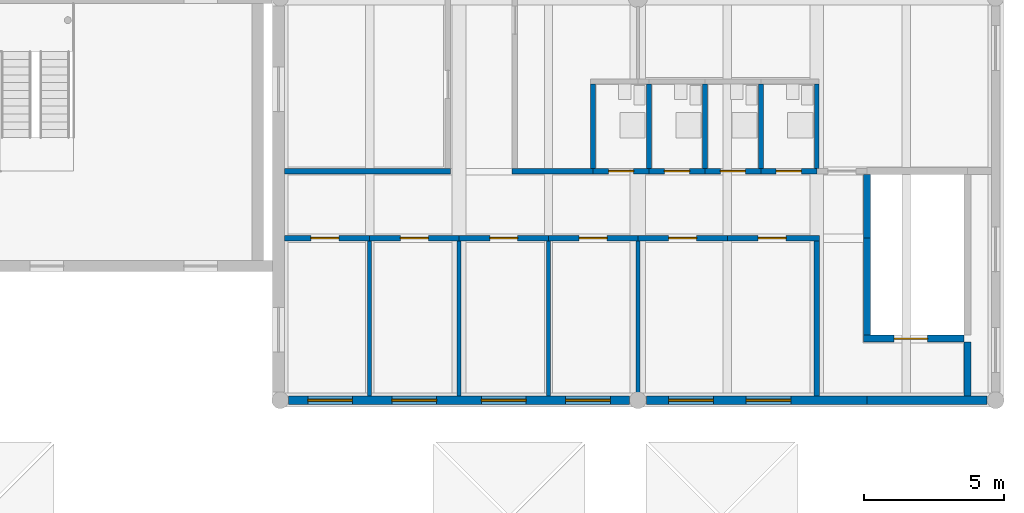
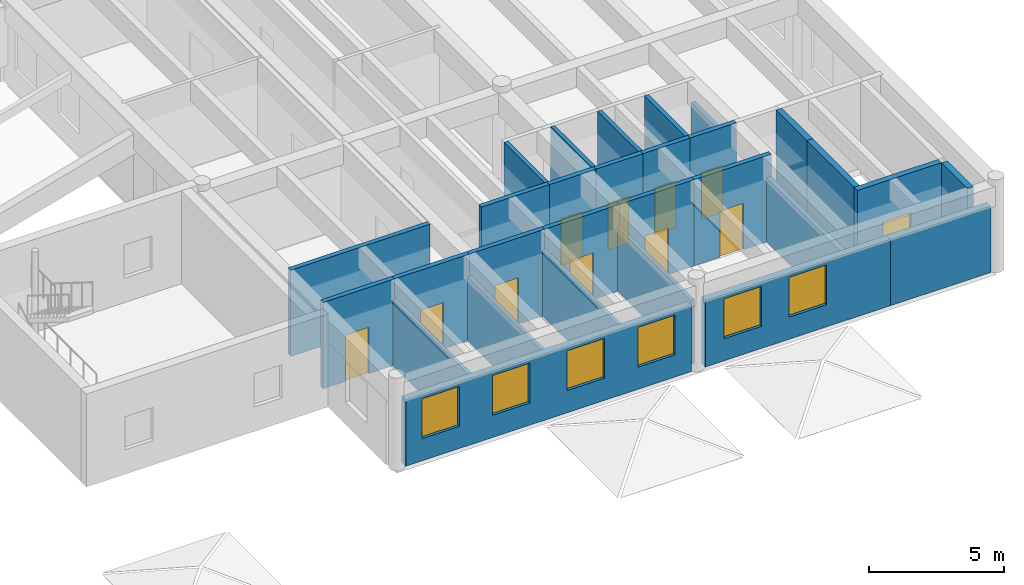
# One storey, part 10 of 19: 29 walls, 11 doors, 6 windows, 17 openings.
"""IFC4 building model written with IfcOpenShell, lengths in metres."""

from ifc_helpers import new_model, si_unit, direction, frame, frame_2d, origin, place, context, subcontext, project, spatial, rectangle, extrude, material, layer, layer_set, type_object, element, fill, save


model = new_model("IFC4")

# Units and contexts
model_context = context("Model", 3, precision=1e-05, world=origin(), true_north=direction((0.0, 1.0)))
body_context = subcontext(model_context, "Body", "Model", "MODEL_VIEW")
ifc_project = project(units=[si_unit("LENGTHUNIT", "METRE"), si_unit("AREAUNIT", "SQUARE_METRE"), si_unit("VOLUMEUNIT", "CUBIC_METRE"), si_unit("PLANEANGLEUNIT", "RADIAN"), si_unit("MASSUNIT", "GRAM", prefix="KILO")], contexts=[model_context])

# Site, building, storey
site_placement = place(None, origin())
site = spatial("IfcSite", under=ifc_project, at=site_placement, CompositionType="ELEMENT")
building_placement = place(site_placement, origin())
building = spatial("IfcBuilding", under=site, at=building_placement, Name="Fogon Plaza Fire Station and Headquarters Tower", CompositionType="ELEMENT")
storey_placement = place(building_placement, frame((0.0, 0.0, 4.199951171875)))
storey = spatial("IfcBuildingStorey", under=building, at=storey_placement, Name="L01", CompositionType="ELEMENT", Elevation=4.199951171875)

# Walls
ifc_material_1 = material(Name="Acoustic Gypsum Partition")
ifc_layer_1 = layer(ifc_material_1, 0.14990234375)
ifc_layer_set_1 = layer_set([ifc_layer_1], Name="Acoustic Gypsum Partition")
wall_type_1 = type_object("IfcWallType", Name="Acoustic Partition 150 Beam Head 1000", PredefinedType="PARTITIONING", material=ifc_layer_set_1)
wall_1_placement = place(storey_placement, frame((76.800048828125, 0.27001953125, 0.0), z_axis=(0.0, 0.0, 1.0), x_axis=(0.0, 1.0, 0.0)))
element("IfcWall", 1, at=wall_1_placement, inside=storey, type_object=wall_type_1, Name="wall-L01-E-051", PredefinedType="PARTITIONING", context=body_context, shape_type="SweptSolid", body=[
    extrude(rectangle(XDim=5.429931640625, YDim=0.14990234375, at=frame_2d((2.71484375, 0.0))), origin(), (0.0, 0.0, 1.0), 2.900146484375),
])
wall_2_placement = place(storey_placement, frame((70.39990234375, 0.14990234375, 0.0), z_axis=(0.0, 0.0, 1.0), x_axis=(0.0, 1.0, 0.0)))
element("IfcWall", 2, at=wall_2_placement, inside=storey, type_object=wall_type_1, Name="wall-L01-E-059", PredefinedType="PARTITIONING", context=body_context, shape_type="SweptSolid", body=[
    extrude(rectangle(XDim=5.550048828125, YDim=0.14990234375, at=frame_2d((2.77490234375, 0.0))), origin(), (0.0, 0.0, 1.0), 2.900146484375),
])
ifc_material_2 = material(Name="Acoustic Gypsum Partition")
ifc_layer_2 = layer(ifc_material_2, 0.14990234375)
ifc_layer_set_2 = layer_set([ifc_layer_2], Name="Acoustic Gypsum Partition")
wall_type_2 = type_object("IfcWallType", Name="Acoustic Partition 150 Beam Head 900", PredefinedType="PARTITIONING", material=ifc_layer_set_2)
for number, where, z_axis, x_axis, name in (
    (3, (73.60009765625, 0.14990234375, 0.0), (0.0, 0.0, 1.0), (0.0, 1.0, 0.0), "wall-L01-E-056"),
    (4, (67.199951171875, 0.14990234375, 0.0), (0.0, 0.0, 1.0), (0.0, 1.0, 0.0), "wall-L01-E-063"),
):
    element("IfcWall", number, at=place(storey_placement, frame(where, z_axis=z_axis, x_axis=x_axis)), inside=storey, type_object=wall_type_2, Name=name, PredefinedType="PARTITIONING", context=body_context, shape_type="SweptSolid", body=[
        extrude(rectangle(XDim=5.550048828125, YDim=0.14990234375, at=frame_2d((2.77490234375, 0.0))), origin(), (0.0, 0.0, 1.0), 3.0),
    ])

# Wall, openings, windows
ifc_material_3 = material(Name="Concrete C40", Category="concrete")
ifc_layer_3 = layer(ifc_material_3, 0.300048828125)
ifc_layer_set_3 = layer_set([ifc_layer_3], Name="Concrete C40")
wall_type_3 = type_object("IfcWallType", Name="Board-marked RC Infill Wall 300", PredefinedType="SOLIDWALL", material=ifc_layer_set_3)
wall_3_placement = place(storey_placement, frame((64.300048828125, 0.0, 0.0), z_axis=(0.0, 0.0, 1.0), x_axis=(1.0, 0.0, 0.0)))
wall_3 = element("IfcWall", 5, at=wall_3_placement, inside=storey, type_object=wall_type_3, Name="Exterior wall ES L01", PredefinedType="SOLIDWALL", context=body_context, shape_type="SweptSolid", body=[
    extrude(rectangle(XDim=12.199951171875, YDim=0.300048828125, at=frame_2d((6.10009765625, 0.0))), origin(), (0.0, 0.0, 1.0), 3.0),
])
opening_1_placement = place(wall_3_placement, frame((9.91259765625, 0.0, 1.0)))
opening_1 = element("IfcOpeningElement", 6, at=opening_1_placement, cuts=wall_3, Name="Opening W1", PredefinedType="OPENING", context=body_context, shape_type="SweptSolid", body=[
    extrude(rectangle(XDim=1.60009765625, YDim=1.800048828125, at=frame_2d((0.800048828125, 0.89990234375))), frame((0.0, 0.159912109375, 0.0), z_axis=(0.0, -1.0, 0.0), x_axis=(1.0, 0.0, 0.0)), (0.0, 0.0, 1.0), 0.320068359375),
])
opening_2_placement = place(wall_3_placement, frame((6.89990234375, 0.0, 1.0)))
opening_2 = element("IfcOpeningElement", 7, at=opening_2_placement, cuts=wall_3, Name="Opening W1", PredefinedType="OPENING", context=body_context, shape_type="SweptSolid", body=[
    extrude(rectangle(XDim=1.60009765625, YDim=1.800048828125, at=frame_2d((0.800048828125, 0.89990234375))), frame((0.0, 0.159912109375, 0.0), z_axis=(0.0, -1.0, 0.0), x_axis=(1.0, 0.0, 0.0)), (0.0, 0.0, 1.0), 0.320068359375),
])
opening_3_placement = place(wall_3_placement, frame((3.699951171875, 0.0, 1.0)))
opening_3 = element("IfcOpeningElement", 8, at=opening_3_placement, cuts=wall_3, Name="Opening W1", PredefinedType="OPENING", context=body_context, shape_type="SweptSolid", body=[
    extrude(rectangle(XDim=1.60009765625, YDim=1.800048828125, at=frame_2d((0.800048828125, 0.89990234375))), frame((0.0, 0.159912109375, 0.0), z_axis=(0.0, -1.0, 0.0), x_axis=(1.0, 0.0, 0.0)), (0.0, 0.0, 1.0), 0.320068359375),
])
opening_4_placement = place(wall_3_placement, frame((0.6875, 0.0, 1.0)))
opening_4 = element("IfcOpeningElement", 9, at=opening_4_placement, cuts=wall_3, Name="Opening W1", PredefinedType="OPENING", context=body_context, shape_type="SweptSolid", body=[
    extrude(rectangle(XDim=1.60009765625, YDim=1.800048828125, at=frame_2d((0.800048828125, 0.89990234375))), frame((0.0, 0.159912109375, 0.0), z_axis=(0.0, -1.0, 0.0), x_axis=(1.0, 0.0, 0.0)), (0.0, 0.0, 1.0), 0.320068359375),
])
ifc_material_4 = material(Name="Aluminium framed double glazing", Category="aluminium")
window_type = type_object("IfcWindowType", Name="Window W1 1600x1800", PartitioningType="SINGLE_PANEL", PredefinedType="WINDOW", material=ifc_material_4)
window_1_placement = place(opening_1_placement, origin())
window_1 = element("IfcWindow", 10, at=window_1_placement, inside=storey, type_object=window_type, Name="Window W1 S L01", OverallHeight=1.800048828125, OverallWidth=1.60009765625, PartitioningType="SINGLE_PANEL", PredefinedType="WINDOW", context=body_context, shape_type="SweptSolid", body=[
    extrude(rectangle(XDim=1.60009765625, YDim=1.800048828125, at=frame_2d((0.800048828125, 0.89990234375))), frame((0.0, 0.030029296875, 0.0), z_axis=(0.0, -1.0, 0.0), x_axis=(1.0, 0.0, 0.0)), (0.0, 0.0, 1.0), 0.06005859375),
])
fill(opening_1, window_1)
window_2_placement = place(opening_2_placement, origin())
window_2 = element("IfcWindow", 11, at=window_2_placement, inside=storey, type_object=window_type, Name="Window W1 S L01", OverallHeight=1.800048828125, OverallWidth=1.60009765625, PartitioningType="SINGLE_PANEL", PredefinedType="WINDOW", context=body_context, shape_type="SweptSolid", body=[
    extrude(rectangle(XDim=1.60009765625, YDim=1.800048828125, at=frame_2d((0.800048828125, 0.89990234375))), frame((0.0, 0.030029296875, 0.0), z_axis=(0.0, -1.0, 0.0), x_axis=(1.0, 0.0, 0.0)), (0.0, 0.0, 1.0), 0.06005859375),
])
fill(opening_2, window_2)
window_3_placement = place(opening_3_placement, origin())
window_3 = element("IfcWindow", 12, at=window_3_placement, inside=storey, type_object=window_type, Name="Window W1 S L01", OverallHeight=1.800048828125, OverallWidth=1.60009765625, PartitioningType="SINGLE_PANEL", PredefinedType="WINDOW", context=body_context, shape_type="SweptSolid", body=[
    extrude(rectangle(XDim=1.60009765625, YDim=1.800048828125, at=frame_2d((0.800048828125, 0.89990234375))), frame((0.0, 0.030029296875, 0.0), z_axis=(0.0, -1.0, 0.0), x_axis=(1.0, 0.0, 0.0)), (0.0, 0.0, 1.0), 0.06005859375),
])
fill(opening_3, window_3)
window_4_placement = place(opening_4_placement, origin())
window_4 = element("IfcWindow", 13, at=window_4_placement, inside=storey, type_object=window_type, Name="Window W1 S L01", OverallHeight=1.800048828125, OverallWidth=1.60009765625, PartitioningType="SINGLE_PANEL", PredefinedType="WINDOW", context=body_context, shape_type="SweptSolid", body=[
    extrude(rectangle(XDim=1.60009765625, YDim=1.800048828125, at=frame_2d((0.800048828125, 0.89990234375))), frame((0.0, 0.030029296875, 0.0), z_axis=(0.0, -1.0, 0.0), x_axis=(1.0, 0.0, 0.0)), (0.0, 0.0, 1.0), 0.06005859375),
])
fill(opening_4, window_4)

wall_4_placement = place(storey_placement, frame((77.10009765625, 0.0, 0.0), z_axis=(0.0, 0.0, 1.0), x_axis=(1.0, 0.0, 0.0)))
wall_4 = element("IfcWall", 14, at=wall_4_placement, inside=storey, type_object=wall_type_3, Name="Exterior wall ES L01", PredefinedType="SOLIDWALL", context=body_context, shape_type="SweptSolid", body=[
    extrude(rectangle(XDim=7.89990234375, YDim=0.300048828125, at=frame_2d((3.949951171875, 0.0))), origin(), (0.0, 0.0, 1.0), 3.0),
])
opening_5_placement = place(wall_4_placement, frame((3.574951171875, 0.0, 1.0)))
opening_5 = element("IfcOpeningElement", 15, at=opening_5_placement, cuts=wall_4, Name="Opening W1", PredefinedType="OPENING", context=body_context, shape_type="SweptSolid", body=[
    extrude(rectangle(XDim=1.60009765625, YDim=1.800048828125, at=frame_2d((0.800048828125, 0.89990234375))), frame((0.0, 0.159912109375, 0.0), z_axis=(0.0, -1.0, 0.0), x_axis=(1.0, 0.0, 0.0)), (0.0, 0.0, 1.0), 0.320068359375),
])
opening_6_placement = place(wall_4_placement, frame((0.800048828125, 0.0, 1.0)))
opening_6 = element("IfcOpeningElement", 16, at=opening_6_placement, cuts=wall_4, Name="Opening W1", PredefinedType="OPENING", context=body_context, shape_type="SweptSolid", body=[
    extrude(rectangle(XDim=1.60009765625, YDim=1.800048828125, at=frame_2d((0.800048828125, 0.89990234375))), frame((0.0, 0.159912109375, 0.0), z_axis=(0.0, -1.0, 0.0), x_axis=(1.0, 0.0, 0.0)), (0.0, 0.0, 1.0), 0.320068359375),
])
window_5_placement = place(opening_5_placement, origin())
window_5 = element("IfcWindow", 17, at=window_5_placement, inside=storey, type_object=window_type, Name="Window W1 S L01", OverallHeight=1.800048828125, OverallWidth=1.60009765625, PartitioningType="SINGLE_PANEL", PredefinedType="WINDOW", context=body_context, shape_type="SweptSolid", body=[
    extrude(rectangle(XDim=1.60009765625, YDim=1.800048828125, at=frame_2d((0.800048828125, 0.89990234375))), frame((0.0, 0.030029296875, 0.0), z_axis=(0.0, -1.0, 0.0), x_axis=(1.0, 0.0, 0.0)), (0.0, 0.0, 1.0), 0.06005859375),
])
fill(opening_5, window_5)
window_6_placement = place(opening_6_placement, origin())
window_6 = element("IfcWindow", 18, at=window_6_placement, inside=storey, type_object=window_type, Name="Window W1 S L01", OverallHeight=1.800048828125, OverallWidth=1.60009765625, PartitioningType="SINGLE_PANEL", PredefinedType="WINDOW", context=body_context, shape_type="SweptSolid", body=[
    extrude(rectangle(XDim=1.60009765625, YDim=1.800048828125, at=frame_2d((0.800048828125, 0.89990234375))), frame((0.0, 0.030029296875, 0.0), z_axis=(0.0, -1.0, 0.0), x_axis=(1.0, 0.0, 0.0)), (0.0, 0.0, 1.0), 0.06005859375),
])
fill(opening_6, window_6)

# Wall
ifc_material_5 = material(Name="Concrete C40", Category="concrete")
ifc_layer_4 = layer(ifc_material_5, 0.300048828125)
ifc_layer_set_4 = layer_set([ifc_layer_4], Name="Concrete C40")
wall_type_4 = type_object("IfcWallType", Name="Board-marked RC Infill Wall 300 EI 120", PredefinedType="SOLIDWALL", material=ifc_layer_set_4)
wall_5_placement = place(storey_placement, frame((85.0, 0.0, 0.0), z_axis=(0.0, 0.0, 1.0), x_axis=(1.0, 0.0, 0.0)))
element("IfcWall", 19, at=wall_5_placement, inside=storey, type_object=wall_type_4, Name="Exterior wall ES L01", PredefinedType="SOLIDWALL", context=body_context, shape_type="SweptSolid", body=[
    extrude(rectangle(XDim=4.300048828125, YDim=0.300048828125, at=frame_2d((2.14990234375, 0.0))), origin(), (0.0, 0.0, 1.0), 3.0),
])

# Wall, opening, door
ifc_material_6 = material(Name="Gypsum Board Fire Partition")
ifc_layer_5 = layer(ifc_material_6, 0.199951171875)
ifc_layer_set_5 = layer_set([ifc_layer_5], Name="Gypsum Board Fire Partition")
wall_type_5 = type_object("IfcWallType", Name="Corridor Wall EI 60", PredefinedType="PARTITIONING", material=ifc_layer_set_5)
wall_6_placement = place(storey_placement, frame((83.300048828125, 5.800048828125, 0.0), z_axis=(0.0, 0.0, 1.0), x_axis=(-1.0, 0.0, 0.0)))
wall_6 = element("IfcWall", 20, at=wall_6_placement, inside=storey, type_object=wall_type_5, Name="wall-L01-E-002", PredefinedType="PARTITIONING", context=body_context, shape_type="SweptSolid", body=[
    extrude(rectangle(XDim=3.300048828125, YDim=0.199951171875, at=frame_2d((1.64990234375, 0.0))), origin(), (0.0, 0.0, 1.0), 3.900146484375),
])
opening_7_placement = place(wall_6_placement, frame((1.199951171875, 0.0, 0.0)))
opening_7 = element("IfcOpeningElement", 21, at=opening_7_placement, cuts=wall_6, Name="Opening L01-D60", PredefinedType="OPENING", context=body_context, shape_type="SweptSolid", body=[
    extrude(rectangle(XDim=1.0, YDim=2.10009765625, at=frame_2d((0.5, 1.050048828125))), frame((0.0, 0.10986328125, 0.0), z_axis=(0.0, -1.0, 0.0), x_axis=(1.0, 0.0, 0.0)), (0.0, 0.0, 1.0), 0.219970703125),
])
ifc_material_7 = material(Name="Steel Fire Door Leaf", Category="steel")
door_type_1 = type_object("IfcDoorType", Name="Corridor Door EI 20 1000x2100", OperationType="SINGLE_SWING_LEFT", PredefinedType="DOOR", material=ifc_material_7)
door_1_placement = place(opening_7_placement, origin())
door_1 = element("IfcDoor", 22, at=door_1_placement, inside=storey, type_object=door_type_1, Name="door-L01-E-02", OperationType="SINGLE_SWING_LEFT", OverallHeight=2.10009765625, OverallWidth=1.0, PredefinedType="DOOR", context=body_context, shape_type="SweptSolid", body=[
    extrude(rectangle(XDim=1.0, YDim=2.10009765625, at=frame_2d((0.5, 1.050048828125))), frame((0.0, 0.02490234375, 0.0), z_axis=(0.0, -1.0, 0.0), x_axis=(1.0, 0.0, 0.0)), (0.0, 0.0, 1.0), 0.050048828125),
])
fill(opening_7, door_1)

wall_7_placement = place(storey_placement, frame((80.0, 5.800048828125, 0.0), z_axis=(0.0, 0.0, 1.0), x_axis=(-1.0, 0.0, 0.0)))
wall_7 = element("IfcWall", 23, at=wall_7_placement, inside=storey, type_object=wall_type_5, Name="wall-L01-E-003", PredefinedType="PARTITIONING", context=body_context, shape_type="SweptSolid", body=[
    extrude(rectangle(XDim=3.199951171875, YDim=0.199951171875, at=frame_2d((1.60009765625, 0.0))), origin(), (0.0, 0.0, 1.0), 3.900146484375),
])
opening_8_placement = place(wall_7_placement, frame((1.10009765625, 0.0, 0.0)))
opening_8 = element("IfcOpeningElement", 24, at=opening_8_placement, cuts=wall_7, Name="Opening L01-D61", PredefinedType="OPENING", context=body_context, shape_type="SweptSolid", body=[
    extrude(rectangle(XDim=1.0, YDim=2.10009765625, at=frame_2d((0.5, 1.050048828125))), frame((0.0, 0.10986328125, 0.0), z_axis=(0.0, -1.0, 0.0), x_axis=(1.0, 0.0, 0.0)), (0.0, 0.0, 1.0), 0.219970703125),
])
door_2_placement = place(opening_8_placement, origin())
door_2 = element("IfcDoor", 25, at=door_2_placement, inside=storey, type_object=door_type_1, Name="door-L01-E-03", OperationType="SINGLE_SWING_RIGHT", OverallHeight=2.10009765625, OverallWidth=1.0, PredefinedType="DOOR", context=body_context, shape_type="SweptSolid", body=[
    extrude(rectangle(XDim=1.0, YDim=2.10009765625, at=frame_2d((0.5, 1.050048828125))), frame((0.0, 0.02490234375, 0.0), z_axis=(0.0, -1.0, 0.0), x_axis=(1.0, 0.0, 0.0)), (0.0, 0.0, 1.0), 0.050048828125),
])
fill(opening_8, door_2)

wall_8_placement = place(storey_placement, frame((76.800048828125, 5.800048828125, 0.0), z_axis=(0.0, 0.0, 1.0), x_axis=(-1.0, 0.0, 0.0)))
wall_8 = element("IfcWall", 26, at=wall_8_placement, inside=storey, type_object=wall_type_5, Name="wall-L01-E-004", PredefinedType="PARTITIONING", context=body_context, shape_type="SweptSolid", body=[
    extrude(rectangle(XDim=3.199951171875, YDim=0.199951171875, at=frame_2d((1.60009765625, 0.0))), origin(), (0.0, 0.0, 1.0), 3.900146484375),
])
opening_9_placement = place(wall_8_placement, frame((1.10009765625, 0.0, 0.0)))
opening_9 = element("IfcOpeningElement", 27, at=opening_9_placement, cuts=wall_8, Name="Opening L01-D62", PredefinedType="OPENING", context=body_context, shape_type="SweptSolid", body=[
    extrude(rectangle(XDim=1.0, YDim=2.10009765625, at=frame_2d((0.5, 1.050048828125))), frame((0.0, 0.10986328125, 0.0), z_axis=(0.0, -1.0, 0.0), x_axis=(1.0, 0.0, 0.0)), (0.0, 0.0, 1.0), 0.219970703125),
])
door_3_placement = place(opening_9_placement, origin())
door_3 = element("IfcDoor", 28, at=door_3_placement, inside=storey, type_object=door_type_1, Name="door-L01-E-04", OperationType="SINGLE_SWING_LEFT", OverallHeight=2.10009765625, OverallWidth=1.0, PredefinedType="DOOR", context=body_context, shape_type="SweptSolid", body=[
    extrude(rectangle(XDim=1.0, YDim=2.10009765625, at=frame_2d((0.5, 1.050048828125))), frame((0.0, 0.02490234375, 0.0), z_axis=(0.0, -1.0, 0.0), x_axis=(1.0, 0.0, 0.0)), (0.0, 0.0, 1.0), 0.050048828125),
])
fill(opening_9, door_3)

wall_9_placement = place(storey_placement, frame((73.60009765625, 5.800048828125, 0.0), z_axis=(0.0, 0.0, 1.0), x_axis=(-1.0, 0.0, 0.0)))
wall_9 = element("IfcWall", 29, at=wall_9_placement, inside=storey, type_object=wall_type_5, Name="wall-L01-E-005", PredefinedType="PARTITIONING", context=body_context, shape_type="SweptSolid", body=[
    extrude(rectangle(XDim=3.2001953125, YDim=0.199951171875, at=frame_2d((1.60009765625, 0.0))), origin(), (0.0, 0.0, 1.0), 3.900146484375),
])
opening_10_placement = place(wall_9_placement, frame((1.10009765625, 0.0, 0.0)))
opening_10 = element("IfcOpeningElement", 30, at=opening_10_placement, cuts=wall_9, Name="Opening L01-D63", PredefinedType="OPENING", context=body_context, shape_type="SweptSolid", body=[
    extrude(rectangle(XDim=1.0, YDim=2.10009765625, at=frame_2d((0.5, 1.050048828125))), frame((0.0, 0.10986328125, 0.0), z_axis=(0.0, -1.0, 0.0), x_axis=(1.0, 0.0, 0.0)), (0.0, 0.0, 1.0), 0.219970703125),
])
door_4_placement = place(opening_10_placement, origin())
door_4 = element("IfcDoor", 31, at=door_4_placement, inside=storey, type_object=door_type_1, Name="door-L01-E-05", OperationType="SINGLE_SWING_RIGHT", OverallHeight=2.10009765625, OverallWidth=1.0, PredefinedType="DOOR", context=body_context, shape_type="SweptSolid", body=[
    extrude(rectangle(XDim=1.0, YDim=2.10009765625, at=frame_2d((0.5, 1.050048828125))), frame((0.0, 0.02490234375, 0.0), z_axis=(0.0, -1.0, 0.0), x_axis=(1.0, 0.0, 0.0)), (0.0, 0.0, 1.0), 0.050048828125),
])
fill(opening_10, door_4)

wall_10_placement = place(storey_placement, frame((70.39990234375, 5.800048828125, 0.0), z_axis=(0.0, 0.0, 1.0), x_axis=(-1.0, 0.0, 0.0)))
wall_10 = element("IfcWall", 32, at=wall_10_placement, inside=storey, type_object=wall_type_5, Name="wall-L01-E-006", PredefinedType="PARTITIONING", context=body_context, shape_type="SweptSolid", body=[
    extrude(rectangle(XDim=3.199951171875, YDim=0.199951171875, at=frame_2d((1.60009765625, 0.0))), origin(), (0.0, 0.0, 1.0), 3.900146484375),
])
opening_11_placement = place(wall_10_placement, frame((1.10009765625, 0.0, 0.0)))
opening_11 = element("IfcOpeningElement", 33, at=opening_11_placement, cuts=wall_10, Name="Opening L01-D64", PredefinedType="OPENING", context=body_context, shape_type="SweptSolid", body=[
    extrude(rectangle(XDim=1.0, YDim=2.10009765625, at=frame_2d((0.5, 1.050048828125))), frame((0.0, 0.10986328125, 0.0), z_axis=(0.0, -1.0, 0.0), x_axis=(1.0, 0.0, 0.0)), (0.0, 0.0, 1.0), 0.219970703125),
])
door_5_placement = place(opening_11_placement, origin())
door_5 = element("IfcDoor", 34, at=door_5_placement, inside=storey, type_object=door_type_1, Name="door-L01-E-06", OperationType="SINGLE_SWING_LEFT", OverallHeight=2.10009765625, OverallWidth=1.0, PredefinedType="DOOR", context=body_context, shape_type="SweptSolid", body=[
    extrude(rectangle(XDim=1.0, YDim=2.10009765625, at=frame_2d((0.5, 1.050048828125))), frame((0.0, 0.02490234375, 0.0), z_axis=(0.0, -1.0, 0.0), x_axis=(1.0, 0.0, 0.0)), (0.0, 0.0, 1.0), 0.050048828125),
])
fill(opening_11, door_5)

wall_11_placement = place(storey_placement, frame((67.199951171875, 5.800048828125, 0.0), z_axis=(0.0, 0.0, 1.0), x_axis=(-1.0, 0.0, 0.0)))
wall_11 = element("IfcWall", 35, at=wall_11_placement, inside=storey, type_object=wall_type_5, Name="wall-L01-E-007", PredefinedType="PARTITIONING", context=body_context, shape_type="SweptSolid", body=[
    extrude(rectangle(XDim=3.050048828125, YDim=0.199951171875, at=frame_2d((1.52490234375, 0.0))), origin(), (0.0, 0.0, 1.0), 3.900146484375),
])
opening_12_placement = place(wall_11_placement, frame((1.10009765625, 0.0, 0.0)))
opening_12 = element("IfcOpeningElement", 36, at=opening_12_placement, cuts=wall_11, Name="Opening L01-D65", PredefinedType="OPENING", context=body_context, shape_type="SweptSolid", body=[
    extrude(rectangle(XDim=1.0, YDim=2.10009765625, at=frame_2d((0.5, 1.050048828125))), frame((0.0, 0.10986328125, 0.0), z_axis=(0.0, -1.0, 0.0), x_axis=(1.0, 0.0, 0.0)), (0.0, 0.0, 1.0), 0.219970703125),
])
door_6_placement = place(opening_12_placement, origin())
door_6 = element("IfcDoor", 37, at=door_6_placement, inside=storey, type_object=door_type_1, Name="door-L01-E-07", OperationType="SINGLE_SWING_RIGHT", OverallHeight=2.10009765625, OverallWidth=1.0, PredefinedType="DOOR", context=body_context, shape_type="SweptSolid", body=[
    extrude(rectangle(XDim=1.0, YDim=2.10009765625, at=frame_2d((0.5, 1.050048828125))), frame((0.0, 0.02490234375, 0.0), z_axis=(0.0, -1.0, 0.0), x_axis=(1.0, 0.0, 0.0)), (0.0, 0.0, 1.0), 0.050048828125),
])
fill(opening_12, door_6)

wall_12_placement = place(storey_placement, frame((83.199951171875, 8.199951171875, 0.0), z_axis=(0.0, 0.0, 1.0), x_axis=(-1.0, 0.0, 0.0)))
wall_12 = element("IfcWall", 38, at=wall_12_placement, inside=storey, type_object=wall_type_5, Name="wall-L01-E-011", PredefinedType="PARTITIONING", context=body_context, shape_type="SweptSolid", body=[
    extrude(rectangle(XDim=2.0, YDim=0.199951171875, at=frame_2d((1.0, 0.0))), origin(), (0.0, 0.0, 1.0), 3.900146484375),
])
opening_13_placement = place(wall_12_placement, frame((0.550048828125, 0.0, 0.0)))
opening_13 = element("IfcOpeningElement", 39, at=opening_13_placement, cuts=wall_12, Name="Opening L01-D66", PredefinedType="OPENING", context=body_context, shape_type="SweptSolid", body=[
    extrude(rectangle(XDim=0.89990234375, YDim=2.10009765625, at=frame_2d((0.449951171875, 1.050048828125))), frame((0.0, 0.10986328125, 0.0), z_axis=(0.0, -1.0, 0.0), x_axis=(1.0, 0.0, 0.0)), (0.0, 0.0, 1.0), 0.219970703125),
])
ifc_material_8 = material(Name="Steel Fire Door Leaf", Category="steel")
door_type_2 = type_object("IfcDoorType", Name="Corridor Door EI 20 900x2100", OperationType="SINGLE_SWING_LEFT", PredefinedType="DOOR", material=ifc_material_8)
door_7_placement = place(opening_13_placement, frame((0.89990234375, 0.0, 0.0), z_axis=(0.0, 0.0, 1.0), x_axis=(-1.0, 0.0, 0.0)))
door_7 = element("IfcDoor", 40, at=door_7_placement, inside=storey, type_object=door_type_2, Name="door-L01-E-08", OperationType="SINGLE_SWING_LEFT", OverallHeight=2.10009765625, OverallWidth=0.89990234375, PredefinedType="DOOR", context=body_context, shape_type="SweptSolid", body=[
    extrude(rectangle(XDim=0.89990234375, YDim=2.10009765625, at=frame_2d((0.449951171875, 1.050048828125))), frame((0.0, 0.02490234375, 0.0), z_axis=(0.0, -1.0, 0.0), x_axis=(1.0, 0.0, 0.0)), (0.0, 0.0, 1.0), 0.050048828125),
])
fill(opening_13, door_7)

wall_13_placement = place(storey_placement, frame((81.199951171875, 8.199951171875, 0.0), z_axis=(0.0, 0.0, 1.0), x_axis=(-1.0, 0.0, 0.0)))
wall_13 = element("IfcWall", 41, at=wall_13_placement, inside=storey, type_object=wall_type_5, Name="wall-L01-E-012", PredefinedType="PARTITIONING", context=body_context, shape_type="SweptSolid", body=[
    extrude(rectangle(XDim=2.0, YDim=0.199951171875, at=frame_2d((1.0, 0.0))), origin(), (0.0, 0.0, 1.0), 3.900146484375),
])
opening_14_placement = place(wall_13_placement, frame((0.550048828125, 0.0, 0.0)))
opening_14 = element("IfcOpeningElement", 42, at=opening_14_placement, cuts=wall_13, Name="Opening L01-D67", PredefinedType="OPENING", context=body_context, shape_type="SweptSolid", body=[
    extrude(rectangle(XDim=0.89990234375, YDim=2.10009765625, at=frame_2d((0.449951171875, 1.050048828125))), frame((0.0, 0.10986328125, 0.0), z_axis=(0.0, -1.0, 0.0), x_axis=(1.0, 0.0, 0.0)), (0.0, 0.0, 1.0), 0.219970703125),
])
door_8_placement = place(opening_14_placement, frame((0.89990234375, 0.0, 0.0), z_axis=(0.0, 0.0, 1.0), x_axis=(-1.0, 0.0, 0.0)))
door_8 = element("IfcDoor", 43, at=door_8_placement, inside=storey, type_object=door_type_2, Name="door-L01-E-09", OperationType="SINGLE_SWING_RIGHT", OverallHeight=2.10009765625, OverallWidth=0.89990234375, PredefinedType="DOOR", context=body_context, shape_type="SweptSolid", body=[
    extrude(rectangle(XDim=0.89990234375, YDim=2.10009765625, at=frame_2d((0.449951171875, 1.050048828125))), frame((0.0, 0.02490234375, 0.0), z_axis=(0.0, -1.0, 0.0), x_axis=(1.0, 0.0, 0.0)), (0.0, 0.0, 1.0), 0.050048828125),
])
fill(opening_14, door_8)

wall_14_placement = place(storey_placement, frame((79.199951171875, 8.199951171875, 0.0), z_axis=(0.0, 0.0, 1.0), x_axis=(-1.0, 0.0, 0.0)))
wall_14 = element("IfcWall", 44, at=wall_14_placement, inside=storey, type_object=wall_type_5, Name="wall-L01-E-013", PredefinedType="PARTITIONING", context=body_context, shape_type="SweptSolid", body=[
    extrude(rectangle(XDim=2.0, YDim=0.199951171875, at=frame_2d((1.0, 0.0))), origin(), (0.0, 0.0, 1.0), 3.900146484375),
])
opening_15_placement = place(wall_14_placement, frame((0.550048828125, 0.0, 0.0)))
opening_15 = element("IfcOpeningElement", 45, at=opening_15_placement, cuts=wall_14, Name="Opening L01-D68", PredefinedType="OPENING", context=body_context, shape_type="SweptSolid", body=[
    extrude(rectangle(XDim=0.89990234375, YDim=2.10009765625, at=frame_2d((0.449951171875, 1.050048828125))), frame((0.0, 0.10986328125, 0.0), z_axis=(0.0, -1.0, 0.0), x_axis=(1.0, 0.0, 0.0)), (0.0, 0.0, 1.0), 0.219970703125),
])
door_9_placement = place(opening_15_placement, frame((0.89990234375, 0.0, 0.0), z_axis=(0.0, 0.0, 1.0), x_axis=(-1.0, 0.0, 0.0)))
door_9 = element("IfcDoor", 46, at=door_9_placement, inside=storey, type_object=door_type_2, Name="door-L01-E-10", OperationType="SINGLE_SWING_LEFT", OverallHeight=2.10009765625, OverallWidth=0.89990234375, PredefinedType="DOOR", context=body_context, shape_type="SweptSolid", body=[
    extrude(rectangle(XDim=0.89990234375, YDim=2.10009765625, at=frame_2d((0.449951171875, 1.050048828125))), frame((0.0, 0.02490234375, 0.0), z_axis=(0.0, -1.0, 0.0), x_axis=(1.0, 0.0, 0.0)), (0.0, 0.0, 1.0), 0.050048828125),
])
fill(opening_15, door_9)

wall_15_placement = place(storey_placement, frame((77.199951171875, 8.199951171875, 0.0), z_axis=(0.0, 0.0, 1.0), x_axis=(-1.0, 0.0, 0.0)))
wall_15 = element("IfcWall", 47, at=wall_15_placement, inside=storey, type_object=wall_type_5, Name="wall-L01-E-014", PredefinedType="PARTITIONING", context=body_context, shape_type="SweptSolid", body=[
    extrude(rectangle(XDim=2.0, YDim=0.199951171875, at=frame_2d((1.0, 0.0))), origin(), (0.0, 0.0, 1.0), 3.900146484375),
])
opening_16_placement = place(wall_15_placement, frame((0.550048828125, 0.0, 0.0)))
opening_16 = element("IfcOpeningElement", 48, at=opening_16_placement, cuts=wall_15, Name="Opening L01-D69", PredefinedType="OPENING", context=body_context, shape_type="SweptSolid", body=[
    extrude(rectangle(XDim=0.89990234375, YDim=2.10009765625, at=frame_2d((0.449951171875, 1.050048828125))), frame((0.0, 0.10986328125, 0.0), z_axis=(0.0, -1.0, 0.0), x_axis=(1.0, 0.0, 0.0)), (0.0, 0.0, 1.0), 0.219970703125),
])
door_10_placement = place(opening_16_placement, frame((0.89990234375, 0.0, 0.0), z_axis=(0.0, 0.0, 1.0), x_axis=(-1.0, 0.0, 0.0)))
door_10 = element("IfcDoor", 49, at=door_10_placement, inside=storey, type_object=door_type_2, Name="door-L01-E-11", OperationType="SINGLE_SWING_RIGHT", OverallHeight=2.10009765625, OverallWidth=0.89990234375, PredefinedType="DOOR", context=body_context, shape_type="SweptSolid", body=[
    extrude(rectangle(XDim=0.89990234375, YDim=2.10009765625, at=frame_2d((0.449951171875, 1.050048828125))), frame((0.0, 0.02490234375, 0.0), z_axis=(0.0, -1.0, 0.0), x_axis=(1.0, 0.0, 0.0)), (0.0, 0.0, 1.0), 0.050048828125),
])
fill(opening_16, door_10)

# Walls
wall_16_placement = place(storey_placement, frame((75.199951171875, 8.199951171875, 0.0), z_axis=(0.0, 0.0, 1.0), x_axis=(-1.0, 0.0, 0.0)))
element("IfcWall", 50, at=wall_16_placement, inside=storey, type_object=wall_type_5, Name="wall-L01-E-015", PredefinedType="PARTITIONING", context=body_context, shape_type="SweptSolid", body=[
    extrude(rectangle(XDim=2.89990234375, YDim=0.199951171875, at=frame_2d((1.449951171875, 0.0))), origin(), (0.0, 0.0, 1.0), 3.900146484375),
])
wall_17_placement = place(storey_placement, frame((70.10009765625, 8.199951171875, 0.0), z_axis=(0.0, 0.0, 1.0), x_axis=(-1.0, 0.0, 0.0)))
element("IfcWall", 51, at=wall_17_placement, inside=storey, type_object=wall_type_5, Name="wall-L01-E-016", PredefinedType="PARTITIONING", context=body_context, shape_type="SweptSolid", body=[
    extrude(rectangle(XDim=5.9501953125, YDim=0.199951171875, at=frame_2d((2.97509765625, 0.0))), origin(), (0.0, 0.0, 1.0), 3.900146484375),
])
ifc_material_9 = material(Name="Gypsum Board Fire Partition")
ifc_layer_6 = layer(ifc_material_9, 0.199951171875)
ifc_layer_set_6 = layer_set([ifc_layer_6], Name="Gypsum Board Fire Partition")
wall_type_6 = type_object("IfcWallType", Name="Corridor Wall EI 60 Beam Head 1000", PredefinedType="PARTITIONING", material=ifc_layer_set_6)
wall_18_placement = place(storey_placement, frame((83.199951171875, 0.14990234375, 0.0), z_axis=(0.0, 0.0, 1.0), x_axis=(0.0, 1.0, 0.0)))
element("IfcWall", 52, at=wall_18_placement, inside=storey, type_object=wall_type_6, Name="wall-L01-E-045", PredefinedType="PARTITIONING", context=body_context, shape_type="SweptSolid", body=[
    extrude(rectangle(XDim=5.550048828125, YDim=0.199951171875, at=frame_2d((2.77490234375, 0.0))), origin(), (0.0, 0.0, 1.0), 2.900146484375),
])

# Wall, opening, door
ifc_material_10 = material(Name="Concrete C40", Category="concrete")
ifc_layer_7 = layer(ifc_material_10, 0.25)
ifc_layer_set_7 = layer_set([ifc_layer_7], Name="Concrete C40")
wall_type_7 = type_object("IfcWallType", Name="Stair Shaft Wall RC 250", PredefinedType="SHEAR", material=ifc_layer_set_7)
wall_19_placement = place(storey_placement, frame((88.47509765625, 2.199951171875, 0.0), z_axis=(0.0, 0.0, 1.0), x_axis=(-1.0, 0.0, 0.0)))
wall_19 = element("IfcWall", 53, at=wall_19_placement, inside=storey, type_object=wall_type_7, Name="wall-L01-E-001", PredefinedType="SHEAR", context=body_context, shape_type="SweptSolid", body=[
    extrude(rectangle(XDim=3.60009765625, YDim=0.25, at=frame_2d((1.800048828125, 0.0))), origin(), (0.0, 0.0, 1.0), 3.900146484375),
])
opening_17_placement = place(wall_19_placement, frame((1.304931640625, 0.0, 0.0)))
opening_17 = element("IfcOpeningElement", 54, at=opening_17_placement, cuts=wall_19, Name="Opening L01-D59", PredefinedType="OPENING", context=body_context, shape_type="SweptSolid", body=[
    extrude(rectangle(XDim=1.199951171875, YDim=2.10009765625, at=frame_2d((0.60009765625, 1.050048828125))), frame((0.0, 0.135009765625, 0.0), z_axis=(0.0, -1.0, 0.0), x_axis=(1.0, 0.0, 0.0)), (0.0, 0.0, 1.0), 0.27001953125),
])
ifc_material_11 = material(Name="Steel Fire Door Leaf", Category="steel")
door_type_3 = type_object("IfcDoorType", Name="Stair Door EI 90 1200x2100", OperationType="SINGLE_SWING_LEFT", PredefinedType="DOOR", material=ifc_material_11)
door_11_placement = place(opening_17_placement, origin())
door_11 = element("IfcDoor", 55, at=door_11_placement, inside=storey, type_object=door_type_3, Name="door-L01-E-01", OperationType="SINGLE_SWING_LEFT", OverallHeight=2.10009765625, OverallWidth=1.199951171875, PredefinedType="DOOR", context=body_context, shape_type="SweptSolid", body=[
    extrude(rectangle(XDim=1.199951171875, YDim=2.10009765625, at=frame_2d((0.60009765625, 1.050048828125))), frame((0.0, 0.02490234375, 0.0), z_axis=(0.0, -1.0, 0.0), x_axis=(1.0, 0.0, 0.0)), (0.0, 0.0, 1.0), 0.050048828125),
])
fill(opening_17, door_11)

# Walls
wall_20_placement = place(storey_placement, frame((85.0, 2.324951171875, 0.0), z_axis=(0.0, 0.0, 1.0), x_axis=(0.0, 1.0, 0.0)))
element("IfcWall", 56, at=wall_20_placement, inside=storey, type_object=wall_type_7, Name="wall-L01-E-040", PredefinedType="SHEAR", context=body_context, shape_type="SweptSolid", body=[
    extrude(rectangle(XDim=3.47509765625, YDim=0.25, at=frame_2d((1.737548828125, 0.0))), origin(), (0.0, 0.0, 1.0), 3.900146484375),
])
wall_21_placement = place(storey_placement, frame((85.0, 5.800048828125, 0.0), z_axis=(0.0, 0.0, 1.0), x_axis=(0.0, 1.0, 0.0)))
element("IfcWall", 57, at=wall_21_placement, inside=storey, type_object=wall_type_7, Name="wall-L01-E-041", PredefinedType="SHEAR", context=body_context, shape_type="SweptSolid", body=[
    extrude(rectangle(XDim=2.27490234375, YDim=0.25, at=frame_2d((1.137451171875, 0.0))), origin(), (0.0, 0.0, 1.0), 3.900146484375),
])
ifc_material_12 = material(Name="Concrete Block Fire Wall", Category="concrete")
ifc_layer_8 = layer(ifc_material_12, 0.25)
ifc_layer_set_8 = layer_set([ifc_layer_8], Name="Concrete Block Fire Wall")
wall_type_8 = type_object("IfcWallType", Name="Stair and Shaft Wall EI 120", PredefinedType="PARTITIONING", material=ifc_layer_set_8)
wall_22_placement = place(storey_placement, frame((88.60009765625, 0.14990234375, 0.0), z_axis=(0.0, 0.0, 1.0), x_axis=(0.0, 1.0, 0.0)))
element("IfcWall", 58, at=wall_22_placement, inside=storey, type_object=wall_type_8, Name="wall-L01-E-036", PredefinedType="PARTITIONING", context=body_context, shape_type="SweptSolid", body=[
    extrude(rectangle(XDim=1.925048828125, YDim=0.25, at=frame_2d((0.96240234375, 0.0))), origin(), (0.0, 0.0, 1.0), 3.900146484375),
])
ifc_material_13 = material(Name="Tiled Concrete Block Wall", Category="concrete")
ifc_layer_9 = layer(ifc_material_13, 0.175048828125)
ifc_layer_set_9 = layer_set([ifc_layer_9], Name="Tiled Concrete Block Wall")
wall_type_9 = type_object("IfcWallType", Name="Wet Area Block Wall 175", PredefinedType="PARTITIONING", material=ifc_layer_set_9)
for number, where, z_axis, x_axis, name in (
    (59, (81.199951171875, 8.300048828125, 0.0), (0.0, 0.0, 1.0), (0.0, 1.0, 0.0), "wall-L01-E-048"),
    (60, (79.199951171875, 8.300048828125, 0.0), (0.0, 0.0, 1.0), (0.0, 1.0, 0.0), "wall-L01-E-049"),
    (61, (77.199951171875, 8.300048828125, 0.0), (0.0, 0.0, 1.0), (0.0, 1.0, 0.0), "wall-L01-E-050"),
    (62, (75.199951171875, 8.300048828125, 0.0), (0.0, 0.0, 1.0), (0.0, 1.0, 0.0), "wall-L01-E-055"),
):
    element("IfcWall", number, at=place(storey_placement, frame(where, z_axis=z_axis, x_axis=x_axis)), inside=storey, type_object=wall_type_9, Name=name, PredefinedType="PARTITIONING", context=body_context, shape_type="SweptSolid", body=[
        extrude(rectangle(XDim=3.012451171875, YDim=0.175048828125, at=frame_2d((1.50634765625, 0.0))), origin(), (0.0, 0.0, 1.0), 3.900146484375),
    ])
ifc_material_14 = material(Name="Tiled Concrete Block Wall", Category="concrete")
ifc_layer_10 = layer(ifc_material_14, 0.175048828125)
ifc_layer_set_10 = layer_set([ifc_layer_10], Name="Tiled Concrete Block Wall")
wall_type_10 = type_object("IfcWallType", Name="Wet Area Block Wall 175 Beam Head 1000", PredefinedType="PARTITIONING", material=ifc_layer_set_10)
wall_23_placement = place(storey_placement, frame((83.199951171875, 8.300048828125, 0.0), z_axis=(0.0, 0.0, 1.0), x_axis=(0.0, 1.0, 0.0)))
element("IfcWall", 63, at=wall_23_placement, inside=storey, type_object=wall_type_10, Name="wall-L01-E-046", PredefinedType="PARTITIONING", context=body_context, shape_type="SweptSolid", body=[
    extrude(rectangle(XDim=3.012451171875, YDim=0.175048828125, at=frame_2d((1.50634765625, 0.0))), origin(), (0.0, 0.0, 1.0), 2.900146484375),
])

save(model, "model.ifc")
